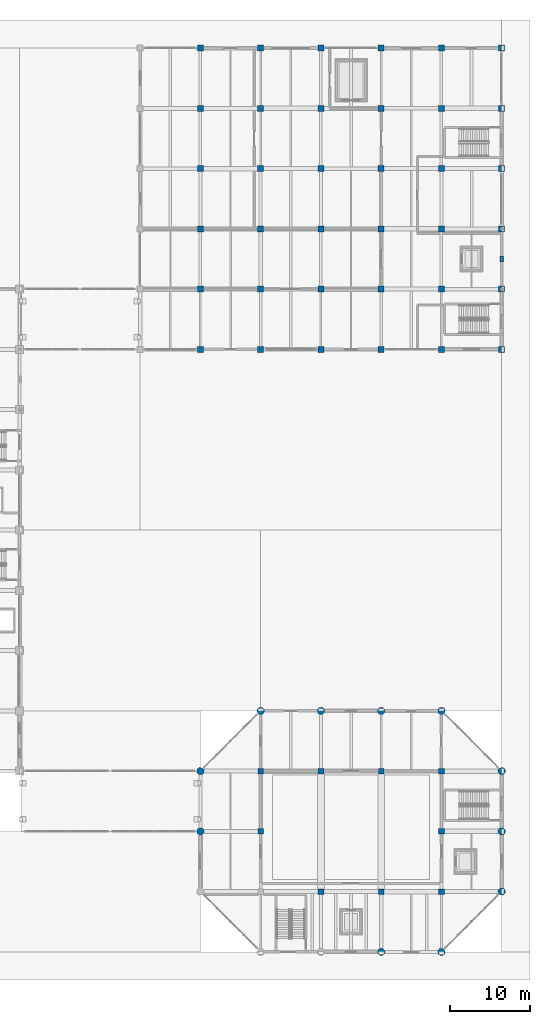
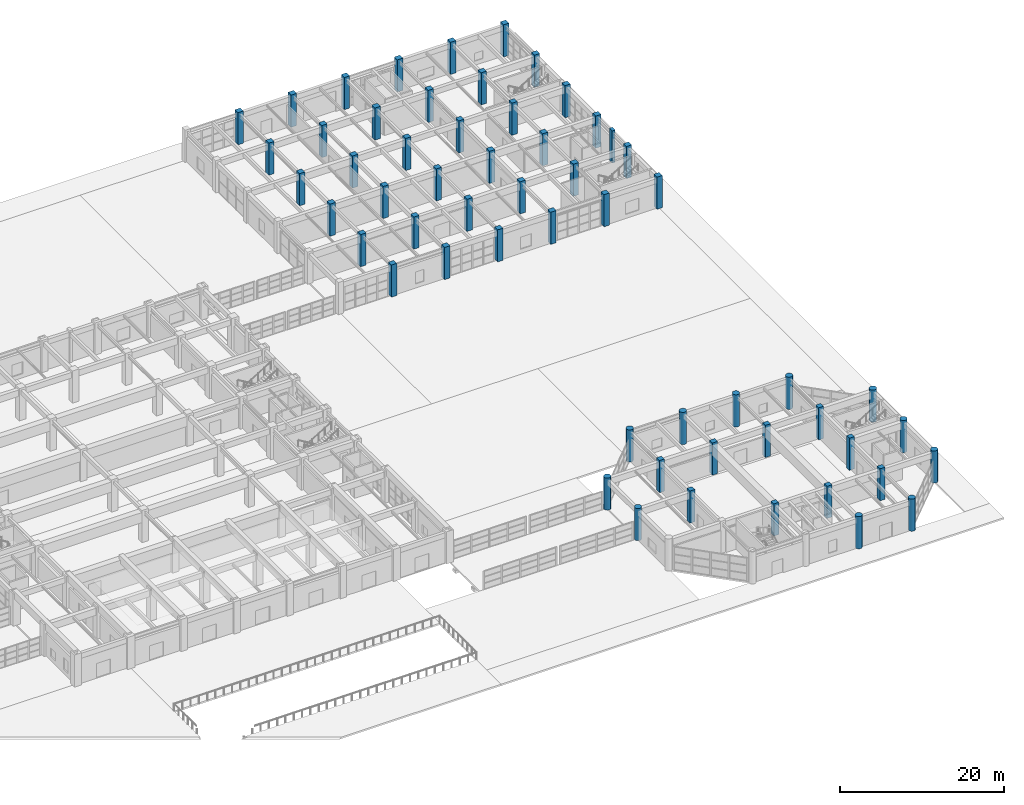
# One storey, part 2 of 122: 57 columns.
"""IFC4 building model written with IfcOpenShell, lengths in metres."""

from ifc_helpers import new_model, si_unit, direction, frame, origin, origin_2d, place, context, subcontext, project, spatial, rectangle, circle, extrude, material, material_profile, profile_set, type_object, element, save


model = new_model("IFC4")

# Units and contexts
model_context = context("Model", 3, precision=1e-05, world=origin(), true_north=direction((0.0, 1.0)))
body_context = subcontext(model_context, "Body", "Model", "MODEL_VIEW")
ifc_project = project(units=[si_unit("LENGTHUNIT", "METRE"), si_unit("AREAUNIT", "SQUARE_METRE"), si_unit("VOLUMEUNIT", "CUBIC_METRE"), si_unit("PLANEANGLEUNIT", "RADIAN"), si_unit("MASSUNIT", "GRAM", prefix="KILO")], contexts=[model_context])

# Site, building, storey
site_placement = place(None, origin())
site = spatial("IfcSite", under=ifc_project, at=site_placement, CompositionType="ELEMENT")
building_placement = place(site_placement, origin())
building = spatial("IfcBuilding", under=site, at=building_placement, Name="Qasida Concert Hall", CompositionType="ELEMENT")
storey_placement = place(building_placement, origin())
storey = spatial("IfcBuildingStorey", under=building, at=storey_placement, Name="L00", CompositionType="ELEMENT", Elevation=0.0)

# Columns
ifc_material = material(Name="Concrete C50/60", Category="concrete")
ifc_material_profile_1 = material_profile(ifc_material, rectangle(XDim=0.75, YDim=0.75, at=origin_2d()), Name="RC 750x750")
ifc_profile_set_1 = profile_set([ifc_material_profile_1], Name="Concrete C50/60")
column_type_1 = type_object("IfcColumnType", Name="COL-C-104", PredefinedType="COLUMN", material=ifc_profile_set_1)
for number, where, z_axis, x_axis, name in (
    (1, (127.5, 75.0, 0.0), (0.0, 0.0, 1.0), (1.0, 0.0, 0.0), "L00 column C-104 (V4)"),
    (2, (127.5, 82.5, 0.0), (0.0, 0.0, 1.0), (1.0, 0.0, 0.0), "L00 column C-104 (V4)"),
    (3, (127.5, 90.0, 0.0), (0.0, 0.0, 1.0), (1.0, 0.0, 0.0), "L00 column C-104 (V4)"),
    (4, (127.5, 97.5, 0.0), (0.0, 0.0, 1.0), (1.0, 0.0, 0.0), "L00 column C-104 (V4)"),
    (5, (127.5, 105.0, 0.0), (0.0, 0.0, 1.0), (1.0, 0.0, 0.0), "L00 column C-104 (V4)"),
    (6, (127.5, 112.5, 0.0), (0.0, 0.0, 1.0), (1.0, 0.0, 0.0), "L00 column C-104 (V4)"),
    (7, (135.0, 75.0, 0.0), (0.0, 0.0, 1.0), (1.0, 0.0, 0.0), "L00 column C-104 (V4)"),
    (8, (135.0, 82.5, 0.0), (0.0, 0.0, 1.0), (1.0, 0.0, 0.0), "L00 column C-104 (V4)"),
    (9, (135.0, 90.0, 0.0), (0.0, 0.0, 1.0), (1.0, 0.0, 0.0), "L00 column C-104 (V4)"),
    (10, (135.0, 97.5, 0.0), (0.0, 0.0, 1.0), (1.0, 0.0, 0.0), "L00 column C-104 (V4)"),
    (11, (135.0, 105.0, 0.0), (0.0, 0.0, 1.0), (1.0, 0.0, 0.0), "L00 column C-104 (V4)"),
    (12, (135.0, 112.5, 0.0), (0.0, 0.0, 1.0), (1.0, 0.0, 0.0), "L00 column C-104 (V4)"),
    (13, (142.5, 75.0, 0.0), (0.0, 0.0, 1.0), (1.0, 0.0, 0.0), "L00 column C-104 (V4)"),
    (14, (142.5, 82.5, 0.0), (0.0, 0.0, 1.0), (1.0, 0.0, 0.0), "L00 column C-104 (V4)"),
    (15, (142.5, 90.0, 0.0), (0.0, 0.0, 1.0), (1.0, 0.0, 0.0), "L00 column C-104 (V4)"),
    (16, (142.5, 97.5, 0.0), (0.0, 0.0, 1.0), (1.0, 0.0, 0.0), "L00 column C-104 (V4)"),
    (17, (142.5, 105.0, 0.0), (0.0, 0.0, 1.0), (1.0, 0.0, 0.0), "L00 column C-104 (V4)"),
    (18, (142.5, 112.5, 0.0), (0.0, 0.0, 1.0), (1.0, 0.0, 0.0), "L00 column C-104 (V4)"),
    (19, (150.0, 75.0, 0.0), (0.0, 0.0, 1.0), (1.0, 0.0, 0.0), "L00 column C-104 (V4)"),
    (20, (150.0, 82.5, 0.0), (0.0, 0.0, 1.0), (1.0, 0.0, 0.0), "L00 column C-104 (V4)"),
    (21, (150.0, 90.0, 0.0), (0.0, 0.0, 1.0), (1.0, 0.0, 0.0), "L00 column C-104 (V4)"),
    (22, (150.0, 97.5, 0.0), (0.0, 0.0, 1.0), (1.0, 0.0, 0.0), "L00 column C-104 (V4)"),
    (23, (150.0, 105.0, 0.0), (0.0, 0.0, 1.0), (1.0, 0.0, 0.0), "L00 column C-104 (V4)"),
    (24, (150.0, 112.5, 0.0), (0.0, 0.0, 1.0), (1.0, 0.0, 0.0), "L00 column C-104 (V4)"),
    (25, (157.5, 75.0, 0.0), (0.0, 0.0, 1.0), (1.0, 0.0, 0.0), "L00 column C-104 (V4)"),
    (26, (157.5, 82.5, 0.0), (0.0, 0.0, 1.0), (1.0, 0.0, 0.0), "L00 column C-104 (V4)"),
    (27, (157.5, 90.0, 0.0), (0.0, 0.0, 1.0), (1.0, 0.0, 0.0), "L00 column C-104 (V4)"),
    (28, (157.5, 97.5, 0.0), (0.0, 0.0, 1.0), (1.0, 0.0, 0.0), "L00 column C-104 (V4)"),
    (29, (157.5, 105.0, 0.0), (0.0, 0.0, 1.0), (1.0, 0.0, 0.0), "L00 column C-104 (V4)"),
    (30, (157.5, 112.5, 0.0), (0.0, 0.0, 1.0), (1.0, 0.0, 0.0), "L00 column C-104 (V4)"),
    (31, (165.0, 75.0, 0.0), (0.0, 0.0, 1.0), (1.0, 0.0, 0.0), "L00 column C-104 (V4)"),
    (32, (165.0, 82.5, 0.0), (0.0, 0.0, 1.0), (1.0, 0.0, 0.0), "L00 column C-104 (V4)"),
    (33, (165.0, 90.0, 0.0), (0.0, 0.0, 1.0), (1.0, 0.0, 0.0), "L00 column C-104 (V4)"),
    (34, (165.0, 97.5, 0.0), (0.0, 0.0, 1.0), (1.0, 0.0, 0.0), "L00 column C-104 (V4)"),
    (35, (165.0, 105.0, 0.0), (0.0, 0.0, 1.0), (1.0, 0.0, 0.0), "L00 column C-104 (V4)"),
    (36, (165.0, 112.5, 0.0), (0.0, 0.0, 1.0), (1.0, 0.0, 0.0), "L00 column C-104 (V4)"),
):
    element("IfcColumn", number, at=place(storey_placement, frame(where, z_axis=z_axis, x_axis=x_axis)), inside=storey, type_object=column_type_1, Name=name, PredefinedType="COLUMN", context=body_context, shape_type="SweptSolid", body=[
        extrude(rectangle(XDim=0.75, YDim=0.75, at=origin_2d()), origin(), (0.0, 0.0, 1.0), 4.800048828125),
    ])
ifc_material_profile_2 = material_profile(ifc_material, rectangle(XDim=0.699951171875, YDim=0.699951171875, at=origin_2d()), Name="RC 700x700")
ifc_profile_set_2 = profile_set([ifc_material_profile_2], Name="Concrete C50/60")
column_type_2 = type_object("IfcColumnType", Name="COL-C-105", PredefinedType="COLUMN", material=ifc_profile_set_2)
for number, where, z_axis, x_axis, name in (
    (37, (135.0, 15.0, 0.0), (0.0, 0.0, 1.0), (1.0, 0.0, 0.0), "L00 column C-105 (V2)"),
    (38, (135.0, 22.5, 0.0), (0.0, 0.0, 1.0), (1.0, 0.0, 0.0), "L00 column C-105 (V2)"),
    (39, (142.5, 7.5, 0.0), (0.0, 0.0, 1.0), (1.0, 0.0, 0.0), "L00 column C-105 (V2)"),
    (40, (142.5, 22.5, 0.0), (0.0, 0.0, 1.0), (1.0, 0.0, 0.0), "L00 column C-105 (V2)"),
    (41, (150.0, 7.5, 0.0), (0.0, 0.0, 1.0), (1.0, 0.0, 0.0), "L00 column C-105 (V2)"),
    (42, (150.0, 22.5, 0.0), (0.0, 0.0, 1.0), (1.0, 0.0, 0.0), "L00 column C-105 (V2)"),
    (43, (157.5, 7.5, 0.0), (0.0, 0.0, 1.0), (1.0, 0.0, 0.0), "L00 column C-105 (V2)"),
    (44, (157.5, 15.0, 0.0), (0.0, 0.0, 1.0), (1.0, 0.0, 0.0), "L00 column C-105 (V2)"),
    (45, (157.5, 22.5, 0.0), (0.0, 0.0, 1.0), (1.0, 0.0, 0.0), "L00 column C-105 (V2)"),
):
    element("IfcColumn", number, at=place(storey_placement, frame(where, z_axis=z_axis, x_axis=x_axis)), inside=storey, type_object=column_type_2, Name=name, PredefinedType="COLUMN", context=body_context, shape_type="SweptSolid", body=[
        extrude(rectangle(XDim=0.699951171875, YDim=0.699951171875, at=origin_2d()), origin(), (0.0, 0.0, 1.0), 4.800048828125),
    ])
ifc_material_profile_3 = material_profile(ifc_material, circle(Radius=0.449951171875, at=origin_2d()), Name="RC COL D900")
ifc_profile_set_3 = profile_set([ifc_material_profile_3], Name="Concrete C50/60")
column_type_3 = type_object("IfcColumnType", Name="COL-C-114", PredefinedType="COLUMN", material=ifc_profile_set_3)
for number, where, z_axis, x_axis, name in (
    (46, (127.5, 15.0, 0.0), (0.0, 0.0, 1.0), (1.0, 0.0, 0.0), "L00 column C-114 (V2)"),
    (47, (127.5, 22.5, 0.0), (0.0, 0.0, 1.0), (1.0, 0.0, 0.0), "L00 column C-114 (V2)"),
    (48, (135.0, 30.0, 0.0), (0.0, 0.0, 1.0), (1.0, 0.0, 0.0), "L00 column C-114 (V2)"),
    (49, (142.5, 30.0, 0.0), (0.0, 0.0, 1.0), (1.0, 0.0, 0.0), "L00 column C-114 (V2)"),
    (50, (150.0, 0.0, 0.0), (0.0, 0.0, 1.0), (1.0, 0.0, 0.0), "L00 column C-114 (V2)"),
    (51, (150.0, 30.0, 0.0), (0.0, 0.0, 1.0), (1.0, 0.0, 0.0), "L00 column C-114 (V2)"),
    (52, (157.5, 0.0, 0.0), (0.0, 0.0, 1.0), (1.0, 0.0, 0.0), "L00 column C-114 (V2)"),
    (53, (157.5, 30.0, 0.0), (0.0, 0.0, 1.0), (1.0, 0.0, 0.0), "L00 column C-114 (V2)"),
    (54, (165.0, 7.5, 0.0), (0.0, 0.0, 1.0), (1.0, 0.0, 0.0), "L00 column C-114 (V2)"),
    (55, (165.0, 15.0, 0.0), (0.0, 0.0, 1.0), (1.0, 0.0, 0.0), "L00 column C-114 (V2)"),
    (56, (165.0, 22.5, 0.0), (0.0, 0.0, 1.0), (1.0, 0.0, 0.0), "L00 column C-114 (V2)"),
):
    element("IfcColumn", number, at=place(storey_placement, frame(where, z_axis=z_axis, x_axis=x_axis)), inside=storey, type_object=column_type_3, Name=name, PredefinedType="COLUMN", context=body_context, shape_type="SweptSolid", body=[
        extrude(circle(Radius=0.449951171875, at=origin_2d()), origin(), (0.0, 0.0, 1.0), 4.800048828125),
    ])
ifc_material_profile_4 = material_profile(ifc_material, rectangle(XDim=0.39990234375, YDim=0.699951171875, at=origin_2d()), Name="RC 400x700")
ifc_profile_set_4 = profile_set([ifc_material_profile_4], Name="Concrete C50/60")
column_type_4 = type_object("IfcColumnType", Name="COL-PL-202", PredefinedType="PILASTER", material=ifc_profile_set_4)
column_placement = place(storey_placement, frame((165.0, 86.25, 0.0), z_axis=(0.0, 0.0, 1.0), x_axis=(1.0, 0.0, 0.0)))
element("IfcColumn", 57, at=column_placement, inside=storey, type_object=column_type_4, Name="L00 Art Deco pilaster PL-202", PredefinedType="PILASTER", context=body_context, shape_type="SweptSolid", body=[
    extrude(rectangle(XDim=0.39990234375, YDim=0.699951171875, at=origin_2d()), origin(), (0.0, 0.0, 1.0), 4.800048828125),
])

save(model, "model.ifc")
